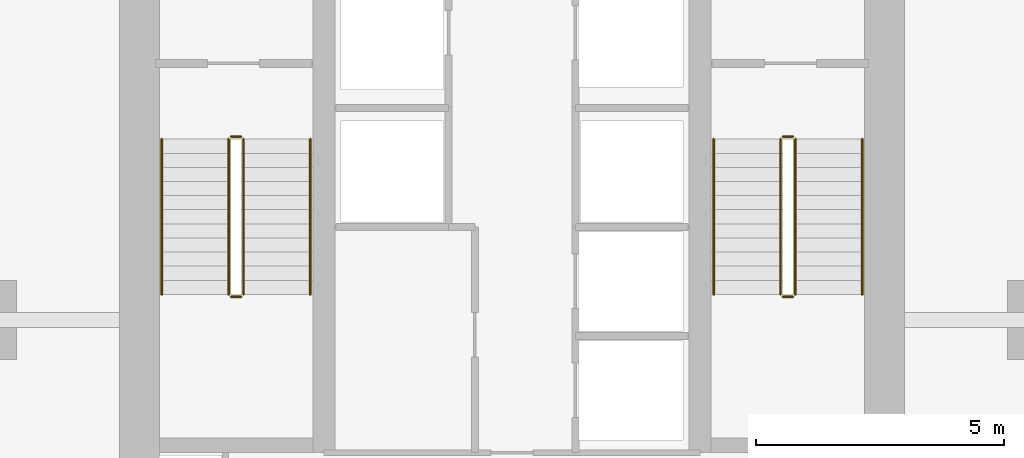
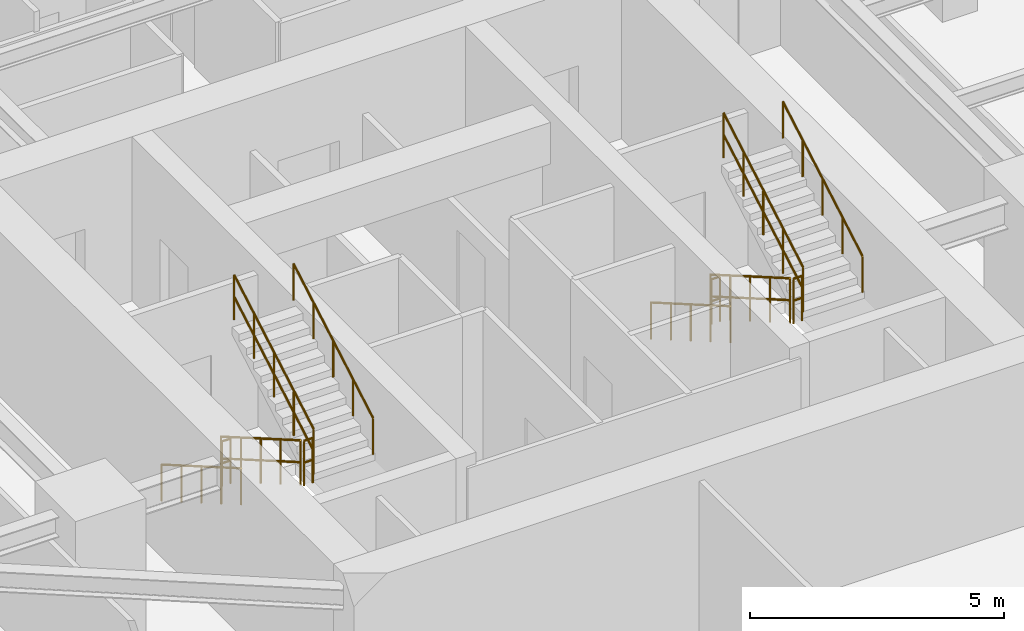
# One storey, part 24 of 25: 12 railings.
"""IFC4 building model written with IfcOpenShell, lengths in metres."""

from ifc_helpers import new_model, si_unit, direction, frame, origin, origin_2d, place, context, subcontext, project, spatial, circle, extrude, material, layer, layer_set, type_object, element, save


model = new_model("IFC4")

# Units and contexts
model_context = context("Model", 3, precision=1e-05, world=origin(), true_north=direction((0.0, 1.0)))
body_context = subcontext(model_context, "Body", "Model", "MODEL_VIEW")
ifc_project = project(units=[si_unit("LENGTHUNIT", "METRE"), si_unit("AREAUNIT", "SQUARE_METRE"), si_unit("VOLUMEUNIT", "CUBIC_METRE"), si_unit("PLANEANGLEUNIT", "RADIAN"), si_unit("MASSUNIT", "GRAM", prefix="KILO")], contexts=[model_context])

# Site, building, storey
site_placement = place(None, origin())
site = spatial("IfcSite", under=ifc_project, at=site_placement, CompositionType="ELEMENT")
building_placement = place(site_placement, origin())
building = spatial("IfcBuilding", under=site, at=building_placement, Name="Krantzveldt Concourse Tower", CompositionType="ELEMENT")
storey_placement = place(building_placement, frame((0.0, 0.0, 211.25)))
storey = spatial("IfcBuildingStorey", under=building, at=storey_placement, Name="L51", CompositionType="ELEMENT", Elevation=211.25)

# Railings
ifc_material = material(Name="Stainless steel 316L", Category="steel")
ifc_layer_1 = layer(ifc_material, 0.06005859375, Name="Stainless steel 316L", Category="steel")
ifc_layer_set_1 = layer_set([ifc_layer_1], Name="Stainless steel 316L (RL-GUARD-1120)")
railing_type_1 = type_object("IfcRailingType", Name="RL-GUARD-1120", PredefinedType="GUARDRAIL", material=ifc_layer_set_1)
railing_1_placement = place(storey_placement, frame((30.280029296875, 19.550048828125, 0.16455078125)))
element("IfcRailing", 1, at=railing_1_placement, inside=storey, type_object=railing_type_1, Name="L51 ST-1 stair guard 1", PredefinedType="GUARDRAIL", context=body_context, shape_type="SweptSolid", body=[
    extrude(circle(Radius=0.02392578125, at=origin_2d()), frame((0.0, 0.0, 1.076171875), z_axis=(0.0, -0.865959834175, 0.500113552702), x_axis=(1.0, 0.0, 0.0)), (0.0, 0.0, 1.0), 3.620361328125),
    extrude(circle(Radius=0.02392578125, at=origin_2d()), frame((0.0, 0.0, 0.550048828125), z_axis=(0.0, -0.865959834175, 0.500113552702), x_axis=(1.0, 0.0, 0.0)), (0.0, 0.0, 1.0), 3.620361328125),
    extrude(circle(Radius=0.02099609375, at=origin_2d()), origin(), (0.0, 0.0, 1.0), 1.052001953125),
    extrude(circle(Radius=0.02099609375, at=origin_2d()), frame((0.0, -0.78369140625, 0.45263671875)), (0.0, 0.0, 1.0), 1.052001953125),
    extrude(circle(Radius=0.02099609375, at=origin_2d()), frame((0.0, -1.5673828125, 0.9052734375)), (0.0, 0.0, 1.0), 1.052001953125),
    extrude(circle(Radius=0.02099609375, at=origin_2d()), frame((0.0, -2.351318359375, 1.35791015625)), (0.0, 0.0, 1.0), 1.052001953125),
    extrude(circle(Radius=0.02099609375, at=origin_2d()), frame((0.0, -3.135009765625, 1.810546875)), (0.0, 0.0, 1.0), 1.052001953125),
])
railing_2_placement = place(storey_placement, frame((30.330078125, 16.364990234375, 1.97509765625)))
element("IfcRailing", 2, at=railing_2_placement, inside=storey, type_object=railing_type_1, Name="L51 ST-1 stair guard 2", PredefinedType="GUARDRAIL", context=body_context, shape_type="SweptSolid", body=[
    extrude(circle(Radius=0.02392578125, at=origin_2d()), frame((0.0, 0.0, 1.076171875), z_axis=(1.0, 0.0, 0.0), x_axis=(0.0, 1.0, 0.0)), (0.0, 0.0, 1.0), 0.199951171875),
    extrude(circle(Radius=0.02392578125, at=origin_2d()), frame((0.0, 0.0, 0.550048828125), z_axis=(1.0, 0.0, 0.0), x_axis=(0.0, 1.0, 0.0)), (0.0, 0.0, 1.0), 0.199951171875),
    extrude(circle(Radius=0.02099609375, at=origin_2d()), origin(), (0.0, 0.0, 1.0), 1.052001953125),
    extrude(circle(Radius=0.02099609375, at=origin_2d()), frame((0.199951171875, 0.0, 0.0)), (0.0, 0.0, 1.0), 1.052001953125),
])
railing_3_placement = place(storey_placement, frame((30.580078125, 16.4150390625, 2.1396484375)))
element("IfcRailing", 3, at=railing_3_placement, inside=storey, type_object=railing_type_1, Name="L51 ST-1 stair guard 3", PredefinedType="GUARDRAIL", context=body_context, shape_type="SweptSolid", body=[
    extrude(circle(Radius=0.02392578125, at=origin_2d()), frame((0.0, 0.0, 1.076171875), z_axis=(0.0, 0.865989039225, 0.500062979975), x_axis=(-1.0, 0.0, 0.0)), (0.0, 0.0, 1.0), 3.6201171875),
    extrude(circle(Radius=0.02392578125, at=origin_2d()), frame((0.0, 0.0, 0.550048828125), z_axis=(0.0, 0.865989039225, 0.500062979975), x_axis=(-1.0, 0.0, 0.0)), (0.0, 0.0, 1.0), 3.6201171875),
    extrude(circle(Radius=0.02099609375, at=origin_2d()), origin(), (0.0, 0.0, 1.0), 1.052001953125),
    extrude(circle(Radius=0.02099609375, at=origin_2d()), frame((0.0, 0.78369140625, 0.45263671875)), (0.0, 0.0, 1.0), 1.052001953125),
    extrude(circle(Radius=0.02099609375, at=origin_2d()), frame((0.0, 1.5673828125, 0.9052734375)), (0.0, 0.0, 1.0), 1.052001953125),
    extrude(circle(Radius=0.02099609375, at=origin_2d()), frame((0.0, 2.351318359375, 1.357666015625)), (0.0, 0.0, 1.0), 1.052001953125),
    extrude(circle(Radius=0.02099609375, at=origin_2d()), frame((0.0, 3.135009765625, 1.810302734375)), (0.0, 0.0, 1.0), 1.052001953125),
])
railing_4_placement = place(storey_placement, frame((30.330078125, 19.60009765625, 0.0)))
element("IfcRailing", 4, at=railing_4_placement, inside=storey, type_object=railing_type_1, Name="L51 ST-1 stair guard 4", PredefinedType="GUARDRAIL", context=body_context, shape_type="SweptSolid", body=[
    extrude(circle(Radius=0.02392578125, at=origin_2d()), frame((0.0, 0.0, 1.076171875), z_axis=(1.0, 0.0, 0.0), x_axis=(0.0, 1.0, 0.0)), (0.0, 0.0, 1.0), 0.199951171875),
    extrude(circle(Radius=0.02392578125, at=origin_2d()), frame((0.0, 0.0, 0.550048828125), z_axis=(1.0, 0.0, 0.0), x_axis=(0.0, 1.0, 0.0)), (0.0, 0.0, 1.0), 0.199951171875),
    extrude(circle(Radius=0.02099609375, at=origin_2d()), origin(), (0.0, 0.0, 1.0), 1.052001953125),
    extrude(circle(Radius=0.02099609375, at=origin_2d()), frame((0.199951171875, 0.0, 0.0)), (0.0, 0.0, 1.0), 1.052001953125),
])
railing_5_placement = place(storey_placement, frame((41.419921875, 19.550048828125, 0.16455078125)))
element("IfcRailing", 5, at=railing_5_placement, inside=storey, type_object=railing_type_1, Name="L51 ST-2 stair guard 1", PredefinedType="GUARDRAIL", context=body_context, shape_type="SweptSolid", body=[
    extrude(circle(Radius=0.02392578125, at=origin_2d()), frame((0.0, 0.0, 1.076171875), z_axis=(0.0, -0.865959834175, 0.500113552702), x_axis=(1.0, 0.0, 0.0)), (0.0, 0.0, 1.0), 3.620361328125),
    extrude(circle(Radius=0.02392578125, at=origin_2d()), frame((0.0, 0.0, 0.550048828125), z_axis=(0.0, -0.865959834175, 0.500113552702), x_axis=(1.0, 0.0, 0.0)), (0.0, 0.0, 1.0), 3.620361328125),
    extrude(circle(Radius=0.02099609375, at=origin_2d()), origin(), (0.0, 0.0, 1.0), 1.052001953125),
    extrude(circle(Radius=0.02099609375, at=origin_2d()), frame((0.0, -0.78369140625, 0.45263671875)), (0.0, 0.0, 1.0), 1.052001953125),
    extrude(circle(Radius=0.02099609375, at=origin_2d()), frame((0.0, -1.5673828125, 0.9052734375)), (0.0, 0.0, 1.0), 1.052001953125),
    extrude(circle(Radius=0.02099609375, at=origin_2d()), frame((0.0, -2.351318359375, 1.35791015625)), (0.0, 0.0, 1.0), 1.052001953125),
    extrude(circle(Radius=0.02099609375, at=origin_2d()), frame((0.0, -3.135009765625, 1.810546875)), (0.0, 0.0, 1.0), 1.052001953125),
])
railing_6_placement = place(storey_placement, frame((41.469970703125, 16.364990234375, 1.97509765625)))
element("IfcRailing", 6, at=railing_6_placement, inside=storey, type_object=railing_type_1, Name="L51 ST-2 stair guard 2", PredefinedType="GUARDRAIL", context=body_context, shape_type="SweptSolid", body=[
    extrude(circle(Radius=0.02392578125, at=origin_2d()), frame((0.0, 0.0, 1.076171875), z_axis=(1.0, 0.0, 0.0), x_axis=(0.0, 1.0, 0.0)), (0.0, 0.0, 1.0), 0.199951171875),
    extrude(circle(Radius=0.02392578125, at=origin_2d()), frame((0.0, 0.0, 0.550048828125), z_axis=(1.0, 0.0, 0.0), x_axis=(0.0, 1.0, 0.0)), (0.0, 0.0, 1.0), 0.199951171875),
    extrude(circle(Radius=0.02099609375, at=origin_2d()), origin(), (0.0, 0.0, 1.0), 1.052001953125),
    extrude(circle(Radius=0.02099609375, at=origin_2d()), frame((0.199951171875, 0.0, 0.0)), (0.0, 0.0, 1.0), 1.052001953125),
])
railing_7_placement = place(storey_placement, frame((41.719970703125, 16.4150390625, 2.1396484375)))
element("IfcRailing", 7, at=railing_7_placement, inside=storey, type_object=railing_type_1, Name="L51 ST-2 stair guard 3", PredefinedType="GUARDRAIL", context=body_context, shape_type="SweptSolid", body=[
    extrude(circle(Radius=0.02392578125, at=origin_2d()), frame((0.0, 0.0, 1.076171875), z_axis=(0.0, 0.865989039225, 0.500062979975), x_axis=(-1.0, 0.0, 0.0)), (0.0, 0.0, 1.0), 3.6201171875),
    extrude(circle(Radius=0.02392578125, at=origin_2d()), frame((0.0, 0.0, 0.550048828125), z_axis=(0.0, 0.865989039225, 0.500062979975), x_axis=(-1.0, 0.0, 0.0)), (0.0, 0.0, 1.0), 3.6201171875),
    extrude(circle(Radius=0.02099609375, at=origin_2d()), origin(), (0.0, 0.0, 1.0), 1.052001953125),
    extrude(circle(Radius=0.02099609375, at=origin_2d()), frame((0.0, 0.78369140625, 0.45263671875)), (0.0, 0.0, 1.0), 1.052001953125),
    extrude(circle(Radius=0.02099609375, at=origin_2d()), frame((0.0, 1.5673828125, 0.9052734375)), (0.0, 0.0, 1.0), 1.052001953125),
    extrude(circle(Radius=0.02099609375, at=origin_2d()), frame((0.0, 2.351318359375, 1.357666015625)), (0.0, 0.0, 1.0), 1.052001953125),
    extrude(circle(Radius=0.02099609375, at=origin_2d()), frame((0.0, 3.135009765625, 1.810302734375)), (0.0, 0.0, 1.0), 1.052001953125),
])
railing_8_placement = place(storey_placement, frame((41.469970703125, 19.60009765625, 0.0)))
element("IfcRailing", 8, at=railing_8_placement, inside=storey, type_object=railing_type_1, Name="L51 ST-2 stair guard 4", PredefinedType="GUARDRAIL", context=body_context, shape_type="SweptSolid", body=[
    extrude(circle(Radius=0.02392578125, at=origin_2d()), frame((0.0, 0.0, 1.076171875), z_axis=(1.0, 0.0, 0.0), x_axis=(0.0, 1.0, 0.0)), (0.0, 0.0, 1.0), 0.199951171875),
    extrude(circle(Radius=0.02392578125, at=origin_2d()), frame((0.0, 0.0, 0.550048828125), z_axis=(1.0, 0.0, 0.0), x_axis=(0.0, 1.0, 0.0)), (0.0, 0.0, 1.0), 0.199951171875),
    extrude(circle(Radius=0.02099609375, at=origin_2d()), origin(), (0.0, 0.0, 1.0), 1.052001953125),
    extrude(circle(Radius=0.02099609375, at=origin_2d()), frame((0.199951171875, 0.0, 0.0)), (0.0, 0.0, 1.0), 1.052001953125),
])
ifc_layer_2 = layer(ifc_material, 0.050048828125, Name="Stainless steel 316L", Category="steel")
ifc_layer_set_2 = layer_set([ifc_layer_2], Name="Stainless steel 316L (RL-HANDRAIL-920)")
railing_type_2 = type_object("IfcRailingType", Name="RL-HANDRAIL-920", PredefinedType="HANDRAIL", material=ifc_layer_set_2)
railing_9_placement = place(storey_placement, frame((28.929931640625, 19.550048828125, 0.16455078125)))
element("IfcRailing", 9, at=railing_9_placement, inside=storey, type_object=railing_type_2, Name="L51 ST-1 stair handrail 1", PredefinedType="HANDRAIL", context=body_context, shape_type="SweptSolid", body=[
    extrude(circle(Radius=0.02392578125, at=origin_2d()), frame((0.0, 0.0, 0.8759765625), z_axis=(0.0, -0.865959834175, 0.500113552702), x_axis=(1.0, 0.0, 0.0)), (0.0, 0.0, 1.0), 3.620361328125),
    extrude(circle(Radius=0.02099609375, at=origin_2d()), origin(), (0.0, 0.0, 1.0), 0.851806640625),
    extrude(circle(Radius=0.02099609375, at=origin_2d()), frame((0.0, -0.78369140625, 0.45263671875)), (0.0, 0.0, 1.0), 0.851806640625),
    extrude(circle(Radius=0.02099609375, at=origin_2d()), frame((0.0, -1.5673828125, 0.9052734375)), (0.0, 0.0, 1.0), 0.851806640625),
    extrude(circle(Radius=0.02099609375, at=origin_2d()), frame((0.0, -2.351318359375, 1.35791015625)), (0.0, 0.0, 1.0), 0.851806640625),
    extrude(circle(Radius=0.02099609375, at=origin_2d()), frame((0.0, -3.135009765625, 1.810546875)), (0.0, 0.0, 1.0), 0.851806640625),
])
railing_10_placement = place(storey_placement, frame((31.929931640625, 16.4150390625, 2.1396484375)))
element("IfcRailing", 10, at=railing_10_placement, inside=storey, type_object=railing_type_2, Name="L51 ST-1 stair handrail 2", PredefinedType="HANDRAIL", context=body_context, shape_type="SweptSolid", body=[
    extrude(circle(Radius=0.02392578125, at=origin_2d()), frame((0.0, 0.0, 0.8759765625), z_axis=(0.0, 0.865989039225, 0.500062979975), x_axis=(-1.0, 0.0, 0.0)), (0.0, 0.0, 1.0), 3.6201171875),
    extrude(circle(Radius=0.02099609375, at=origin_2d()), origin(), (0.0, 0.0, 1.0), 0.851806640625),
    extrude(circle(Radius=0.02099609375, at=origin_2d()), frame((0.0, 0.78369140625, 0.45263671875)), (0.0, 0.0, 1.0), 0.851806640625),
    extrude(circle(Radius=0.02099609375, at=origin_2d()), frame((0.0, 1.5673828125, 0.9052734375)), (0.0, 0.0, 1.0), 0.851806640625),
    extrude(circle(Radius=0.02099609375, at=origin_2d()), frame((0.0, 2.351318359375, 1.357666015625)), (0.0, 0.0, 1.0), 0.851806640625),
    extrude(circle(Radius=0.02099609375, at=origin_2d()), frame((0.0, 3.135009765625, 1.810302734375)), (0.0, 0.0, 1.0), 0.851806640625),
])
railing_11_placement = place(storey_placement, frame((40.070068359375, 19.550048828125, 0.16455078125)))
element("IfcRailing", 11, at=railing_11_placement, inside=storey, type_object=railing_type_2, Name="L51 ST-2 stair handrail 1", PredefinedType="HANDRAIL", context=body_context, shape_type="SweptSolid", body=[
    extrude(circle(Radius=0.02392578125, at=origin_2d()), frame((0.0, 0.0, 0.8759765625), z_axis=(0.0, -0.865959834175, 0.500113552702), x_axis=(1.0, 0.0, 0.0)), (0.0, 0.0, 1.0), 3.620361328125),
    extrude(circle(Radius=0.02099609375, at=origin_2d()), origin(), (0.0, 0.0, 1.0), 0.851806640625),
    extrude(circle(Radius=0.02099609375, at=origin_2d()), frame((0.0, -0.78369140625, 0.45263671875)), (0.0, 0.0, 1.0), 0.851806640625),
    extrude(circle(Radius=0.02099609375, at=origin_2d()), frame((0.0, -1.5673828125, 0.9052734375)), (0.0, 0.0, 1.0), 0.851806640625),
    extrude(circle(Radius=0.02099609375, at=origin_2d()), frame((0.0, -2.351318359375, 1.35791015625)), (0.0, 0.0, 1.0), 0.851806640625),
    extrude(circle(Radius=0.02099609375, at=origin_2d()), frame((0.0, -3.135009765625, 1.810546875)), (0.0, 0.0, 1.0), 0.851806640625),
])
railing_12_placement = place(storey_placement, frame((43.070068359375, 16.4150390625, 2.1396484375)))
element("IfcRailing", 12, at=railing_12_placement, inside=storey, type_object=railing_type_2, Name="L51 ST-2 stair handrail 2", PredefinedType="HANDRAIL", context=body_context, shape_type="SweptSolid", body=[
    extrude(circle(Radius=0.02392578125, at=origin_2d()), frame((0.0, 0.0, 0.8759765625), z_axis=(0.0, 0.865989039225, 0.500062979975), x_axis=(-1.0, 0.0, 0.0)), (0.0, 0.0, 1.0), 3.6201171875),
    extrude(circle(Radius=0.02099609375, at=origin_2d()), origin(), (0.0, 0.0, 1.0), 0.851806640625),
    extrude(circle(Radius=0.02099609375, at=origin_2d()), frame((0.0, 0.78369140625, 0.45263671875)), (0.0, 0.0, 1.0), 0.851806640625),
    extrude(circle(Radius=0.02099609375, at=origin_2d()), frame((0.0, 1.5673828125, 0.9052734375)), (0.0, 0.0, 1.0), 0.851806640625),
    extrude(circle(Radius=0.02099609375, at=origin_2d()), frame((0.0, 2.351318359375, 1.357666015625)), (0.0, 0.0, 1.0), 0.851806640625),
    extrude(circle(Radius=0.02099609375, at=origin_2d()), frame((0.0, 3.135009765625, 1.810302734375)), (0.0, 0.0, 1.0), 0.851806640625),
])

save(model, "model.ifc")
